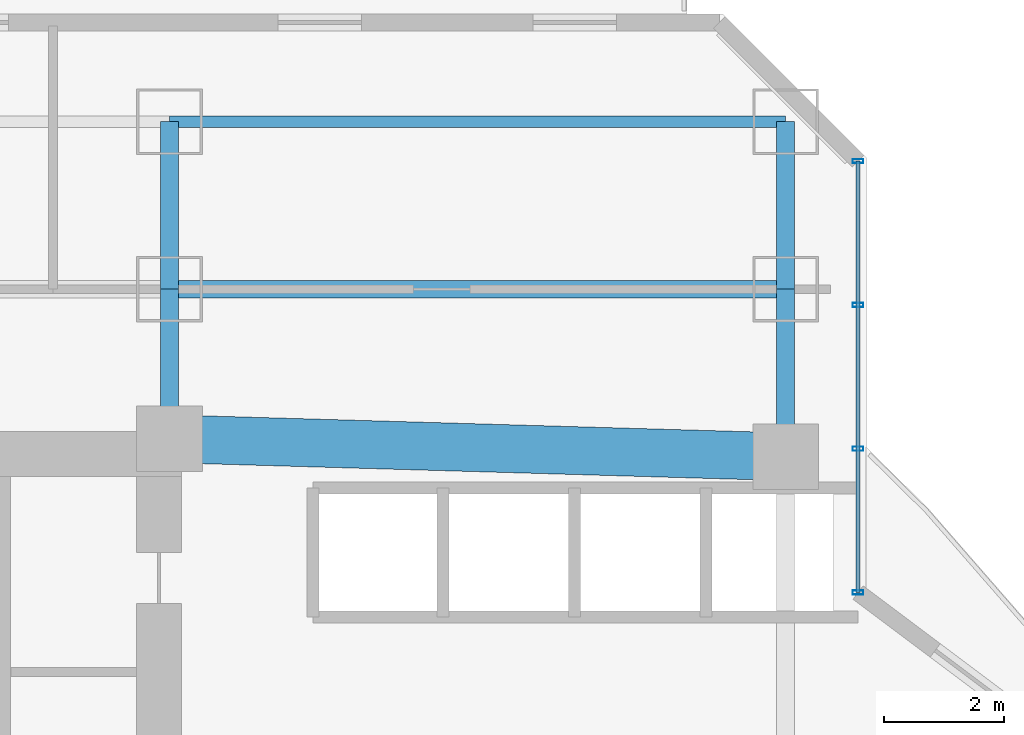
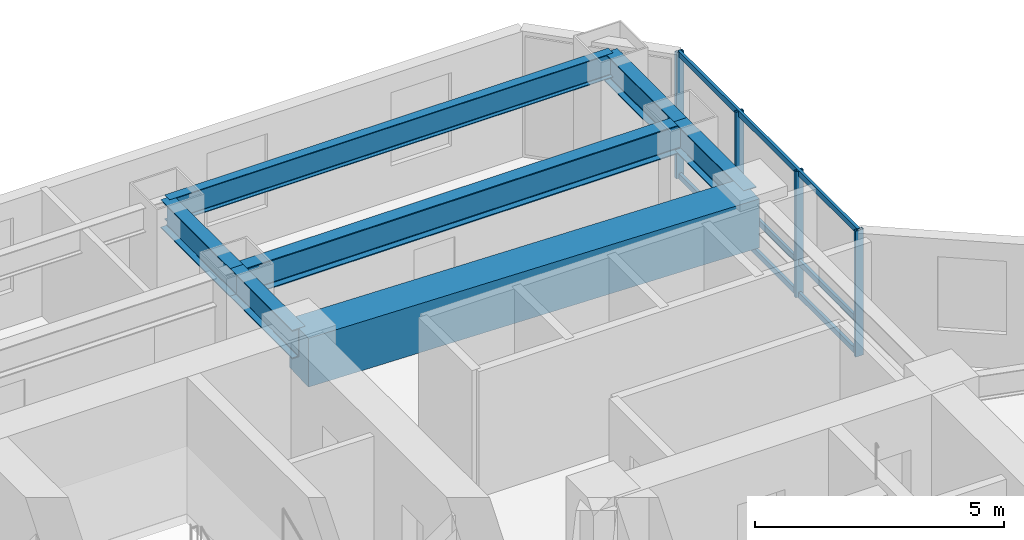
# One storey, part 24 of 39: 7 beams, 7 members, 1 element without a shape of its own.
"""IFC4 building model written with IfcOpenShell, lengths in metres."""

from ifc_helpers import new_model, si_unit, direction, frame, origin, origin_2d, place, context, subcontext, project, spatial, rectangle, hollow_rectangle, i_section, extrude, material, layer, layer_set, material_profile, profile_set, type_object, element, aggregate, save


model = new_model("IFC4")

# Units and contexts
model_context = context("Model", 3, precision=1e-05, world=origin(), true_north=direction((0.0, 1.0)))
body_context = subcontext(model_context, "Body", "Model", "MODEL_VIEW")
ifc_project = project(units=[si_unit("LENGTHUNIT", "METRE"), si_unit("AREAUNIT", "SQUARE_METRE"), si_unit("VOLUMEUNIT", "CUBIC_METRE"), si_unit("PLANEANGLEUNIT", "RADIAN"), si_unit("MASSUNIT", "GRAM", prefix="KILO")], contexts=[model_context])

# Site, building, storey
site_placement = place(None, origin())
site = spatial("IfcSite", under=ifc_project, at=site_placement, CompositionType="ELEMENT")
building_placement = place(site_placement, origin())
building = spatial("IfcBuilding", under=site, at=building_placement, Name="Hatsunagi Terrace Concourse", CompositionType="ELEMENT")
storey_placement = place(building_placement, frame((0.0, 0.0, 66.75)))
storey = spatial("IfcBuildingStorey", under=building, at=storey_placement, Name="L17", CompositionType="ELEMENT", Elevation=66.75)

# Beam
ifc_material_1 = material(Name="Concrete Fc60", Category="concrete")
ifc_material_profile_1 = material_profile(ifc_material_1, rectangle(XDim=0.800048828125, YDim=1.199951171875, at=origin_2d()), Name="RC-800x1200")
ifc_profile_set_1 = profile_set([ifc_material_profile_1], Name="Concrete Fc60")
beam_type_1 = type_object("IfcBeamType", Name="CoreCouplingBeam_RC_800x1200", PredefinedType="BEAM", material=ifc_profile_set_1)
beam_1_placement = place(storey_placement, frame((33.35009765625, 43.300048828125, 2.530029296875), z_axis=(0.999575947545, -0.029119153303, 0.0), x_axis=(0.029119153303, 0.999575947545, 0.0)))
element("IfcBeam", 1, at=beam_1_placement, inside=storey, type_object=beam_type_1, Name="Beam CB-01 CB-L17-2", PredefinedType="BEAM", context=body_context, shape_type="SweptSolid", body=[
    extrude(rectangle(XDim=0.800048828125, YDim=1.199951171875, at=origin_2d()), origin(), (0.0, 0.0, 1.0), 10.30419921875),
])

# Curtain wall, members
ifc_material_2 = material(Name="Anodised Aluminium Alloy 6063-T5", Category="aluminium")
ifc_layer = layer(ifc_material_2, 0.199951171875)
ifc_layer_set = layer_set([ifc_layer], Name="HotelFacade_CW02")
curtain_wall_type = type_object("IfcCurtainWallType", Name="HotelFacade_CW02", PredefinedType="NOTDEFINED", material=ifc_layer_set)
curtain_wall_placement = place(storey_placement, origin())
curtain_wall = element("IfcCurtainWall", 2, at=curtain_wall_placement, inside=storey, type_object=curtain_wall_type, Name="Unitised Curtain Wall CW-02 CW-L17-13", PredefinedType="NOTDEFINED")
ifc_material_3 = material(Name="Anodised Aluminium Alloy 6063-T5", Category="aluminium")
ifc_material_profile_2 = material_profile(ifc_material_3, hollow_rectangle(XDim=0.070068359375, YDim=0.179931640625, WallThickness=0.00390625, at=origin_2d()), Name="ALU-MUL-180x70x4")
ifc_profile_set_2 = profile_set([ifc_material_profile_2], Name="Anodised Aluminium Alloy 6063-T5")
member_type_1 = type_object("IfcMemberType", Name="CurtainWallMullion_180x70", PredefinedType="MULLION", material=ifc_profile_set_2)
member_1_placement = place(storey_placement, frame((44.860107421875, 47.94189453125, 0.0), z_axis=(0.0, 0.0, 1.0), x_axis=(0.0, -1.0, 0.0)))
member_1 = element("IfcMember", 3, at=member_1_placement, type_object=member_type_1, Name="Curtain Wall Mullion MUL-02", PredefinedType="MULLION", context=body_context, shape_type="SweptSolid", body=[
    extrude(hollow_rectangle(XDim=0.070068359375, YDim=0.179931640625, WallThickness=0.00390625, at=origin_2d()), origin(), (0.0, 0.0, 1.0), 3.090087890625),
])
member_2_placement = place(storey_placement, frame((44.860107421875, 45.5380859375, 0.0), z_axis=(0.0, 0.0, 1.0), x_axis=(0.0, -1.0, 0.0)))
member_2 = element("IfcMember", 4, at=member_2_placement, type_object=member_type_1, Name="Curtain Wall Mullion MUL-02", PredefinedType="MULLION", context=body_context, shape_type="SweptSolid", body=[
    extrude(hollow_rectangle(XDim=0.070068359375, YDim=0.179931640625, WallThickness=0.00390625, at=origin_2d()), origin(), (0.0, 0.0, 1.0), 3.090087890625),
])
member_3_placement = place(storey_placement, frame((44.860107421875, 43.134033203125, 0.0), z_axis=(0.0, 0.0, 1.0), x_axis=(0.0, -1.0, 0.0)))
member_3 = element("IfcMember", 5, at=member_3_placement, type_object=member_type_1, Name="Curtain Wall Mullion MUL-02", PredefinedType="MULLION", context=body_context, shape_type="SweptSolid", body=[
    extrude(hollow_rectangle(XDim=0.070068359375, YDim=0.179931640625, WallThickness=0.00390625, at=origin_2d()), origin(), (0.0, 0.0, 1.0), 3.090087890625),
])
member_4_placement = place(storey_placement, frame((44.860107421875, 40.72998046875, 0.0), z_axis=(0.0, 0.0, 1.0), x_axis=(0.0, -1.0, 0.0)))
member_4 = element("IfcMember", 6, at=member_4_placement, type_object=member_type_1, Name="Curtain Wall Mullion MUL-02", PredefinedType="MULLION", context=body_context, shape_type="SweptSolid", body=[
    extrude(hollow_rectangle(XDim=0.070068359375, YDim=0.179931640625, WallThickness=0.00390625, at=origin_2d()), origin(), (0.0, 0.0, 1.0), 3.090087890625),
])
ifc_material_4 = material(Name="Anodised Aluminium Alloy 6063-T5", Category="aluminium")
ifc_material_profile_3 = material_profile(ifc_material_4, hollow_rectangle(XDim=0.06494140625, YDim=0.139892578125, WallThickness=0.00390625, at=origin_2d()), Name="ALU-TRN-140x65x4")
ifc_profile_set_3 = profile_set([ifc_material_profile_3], Name="Anodised Aluminium Alloy 6063-T5")
member_type_2 = type_object("IfcMemberType", Name="CurtainWallTransom_140x65", PredefinedType="USERDEFINED", material=ifc_profile_set_3)
member_5_placement = place(storey_placement, frame((44.860107421875, 47.94189453125, 0.050048828125), z_axis=(0.0, -1.0, 0.0), x_axis=(1.0, 0.0, 0.0)))
member_5 = element("IfcMember", 7, at=member_5_placement, type_object=member_type_2, Name="Curtain Wall Transom TRN-02", ObjectType="TRANSOM", PredefinedType="USERDEFINED", context=body_context, shape_type="SweptSolid", body=[
    extrude(hollow_rectangle(XDim=0.06494140625, YDim=0.139892578125, WallThickness=0.00390625, at=origin_2d()), origin(), (0.0, 0.0, 1.0), 7.2119140625),
])
member_6_placement = place(storey_placement, frame((44.860107421875, 47.94189453125, 0.85009765625), z_axis=(0.0, -1.0, 0.0), x_axis=(1.0, 0.0, 0.0)))
member_6 = element("IfcMember", 8, at=member_6_placement, type_object=member_type_2, Name="Curtain Wall Transom TRN-02", ObjectType="TRANSOM", PredefinedType="USERDEFINED", context=body_context, shape_type="SweptSolid", body=[
    extrude(hollow_rectangle(XDim=0.06494140625, YDim=0.139892578125, WallThickness=0.00390625, at=origin_2d()), origin(), (0.0, 0.0, 1.0), 7.2119140625),
])
member_7_placement = place(storey_placement, frame((44.860107421875, 47.94189453125, 3.0400390625), z_axis=(0.0, -1.0, 0.0), x_axis=(1.0, 0.0, 0.0)))
member_7 = element("IfcMember", 9, at=member_7_placement, type_object=member_type_2, Name="Curtain Wall Transom TRN-02", ObjectType="TRANSOM", PredefinedType="USERDEFINED", context=body_context, shape_type="SweptSolid", body=[
    extrude(hollow_rectangle(XDim=0.06494140625, YDim=0.139892578125, WallThickness=0.00390625, at=origin_2d()), origin(), (0.0, 0.0, 1.0), 7.2119140625),
])
aggregate(curtain_wall, [member_1, member_2, member_3, member_4, member_5, member_6, member_7])

# Beams
ifc_material_5 = material(Name="Steel SN490B", Category="steel")
ifc_material_profile_4 = material_profile(ifc_material_5, i_section(OverallWidth=0.300048828125, OverallDepth=0.699951171875, WebThickness=0.012939453125, FlangeThickness=0.02392578125, FilletRadius=0.02197265625, at=origin_2d()), Name="H-700x300x13x24")
ifc_profile_set_4 = profile_set([ifc_material_profile_4], Name="Steel SN490B")
beam_type_2 = type_object("IfcBeamType", Name="HotelFloorGirder_H_700x300", PredefinedType="BEAM", material=ifc_profile_set_4)
beam_2_placement = place(storey_placement, frame((33.35009765625, 43.300048828125, 2.780029296875), z_axis=(0.0, 1.0, 0.0), x_axis=(-1.0, 0.0, 0.0)))
element("IfcBeam", 10, at=beam_2_placement, inside=storey, type_object=beam_type_2, Name="Beam G-04 BM-L17-CN2", PredefinedType="BEAM", context=body_context, shape_type="SweptSolid", body=[
    extrude(i_section(OverallWidth=0.300048828125, OverallDepth=0.699951171875, WebThickness=0.012939453125, FlangeThickness=0.02392578125, FilletRadius=0.02197265625, at=origin_2d()), origin(), (0.0, 0.0, 1.0), 2.5),
])
beam_3_placement = place(storey_placement, frame((43.64990234375, 43.0, 2.780029296875), z_axis=(0.0, 1.0, 0.0), x_axis=(-1.0, 0.0, 0.0)))
element("IfcBeam", 11, at=beam_3_placement, inside=storey, type_object=beam_type_2, Name="Beam G-04 BM-L17-CN3", PredefinedType="BEAM", context=body_context, shape_type="SweptSolid", body=[
    extrude(i_section(OverallWidth=0.300048828125, OverallDepth=0.699951171875, WebThickness=0.012939453125, FlangeThickness=0.02392578125, FilletRadius=0.02197265625, at=origin_2d()), origin(), (0.0, 0.0, 1.0), 2.800048828125),
])
beam_4_placement = place(storey_placement, frame((33.35009765625, 45.800048828125, 2.780029296875), z_axis=(1.0, 0.0, 0.0), x_axis=(0.0, 1.0, 0.0)))
element("IfcBeam", 12, at=beam_4_placement, inside=storey, type_object=beam_type_2, Name="Beam G-04 BM-L17-CNEW2", PredefinedType="BEAM", context=body_context, shape_type="SweptSolid", body=[
    extrude(i_section(OverallWidth=0.300048828125, OverallDepth=0.699951171875, WebThickness=0.012939453125, FlangeThickness=0.02392578125, FilletRadius=0.02197265625, at=origin_2d()), origin(), (0.0, 0.0, 1.0), 10.2998046875),
])
for number, where, z_axis, x_axis, name in (
    (13, (33.35009765625, 45.800048828125, 2.780029296875), (0.0, 1.0, 0.0), (-1.0, 0.0, 0.0), "Beam G-04 BM-L17-KN-WN5"),
    (14, (43.64990234375, 45.800048828125, 2.780029296875), (0.0, 1.0, 0.0), (-1.0, 0.0, 0.0), "Beam G-04 BM-L17-KN-WN6"),
):
    element("IfcBeam", number, at=place(storey_placement, frame(where, z_axis=z_axis, x_axis=x_axis)), inside=storey, type_object=beam_type_2, Name=name, PredefinedType="BEAM", context=body_context, shape_type="SweptSolid", body=[
        extrude(i_section(OverallWidth=0.300048828125, OverallDepth=0.699951171875, WebThickness=0.012939453125, FlangeThickness=0.02392578125, FilletRadius=0.02197265625, at=origin_2d()), origin(), (0.0, 0.0, 1.0), 2.800048828125),
    ])
ifc_material_6 = material(Name="Steel SN490B", Category="steel")
ifc_material_profile_5 = material_profile(ifc_material_6, i_section(OverallWidth=0.199951171875, OverallDepth=0.60009765625, WebThickness=0.010986328125, FlangeThickness=0.01708984375, FilletRadius=0.01806640625, at=origin_2d()), Name="H-600x200x11x17")
ifc_profile_set_5 = profile_set([ifc_material_profile_5], Name="Steel SN490B")
beam_type_3 = type_object("IfcBeamType", Name="PerimeterSpandrel_H_600x200", PredefinedType="SPANDREL", material=ifc_profile_set_5)
beam_5_placement = place(storey_placement, frame((33.35009765625, 48.60009765625, 2.830078125), z_axis=(1.0, 0.0, 0.0), x_axis=(0.0, 1.0, 0.0)))
element("IfcBeam", 15, at=beam_5_placement, inside=storey, type_object=beam_type_3, Name="Beam SP-01 BM-L17-WN-33", PredefinedType="SPANDREL", context=body_context, shape_type="SweptSolid", body=[
    extrude(i_section(OverallWidth=0.199951171875, OverallDepth=0.60009765625, WebThickness=0.010986328125, FlangeThickness=0.01708984375, FilletRadius=0.01806640625, at=origin_2d()), origin(), (0.0, 0.0, 1.0), 10.2998046875),
])

save(model, "model.ifc")
